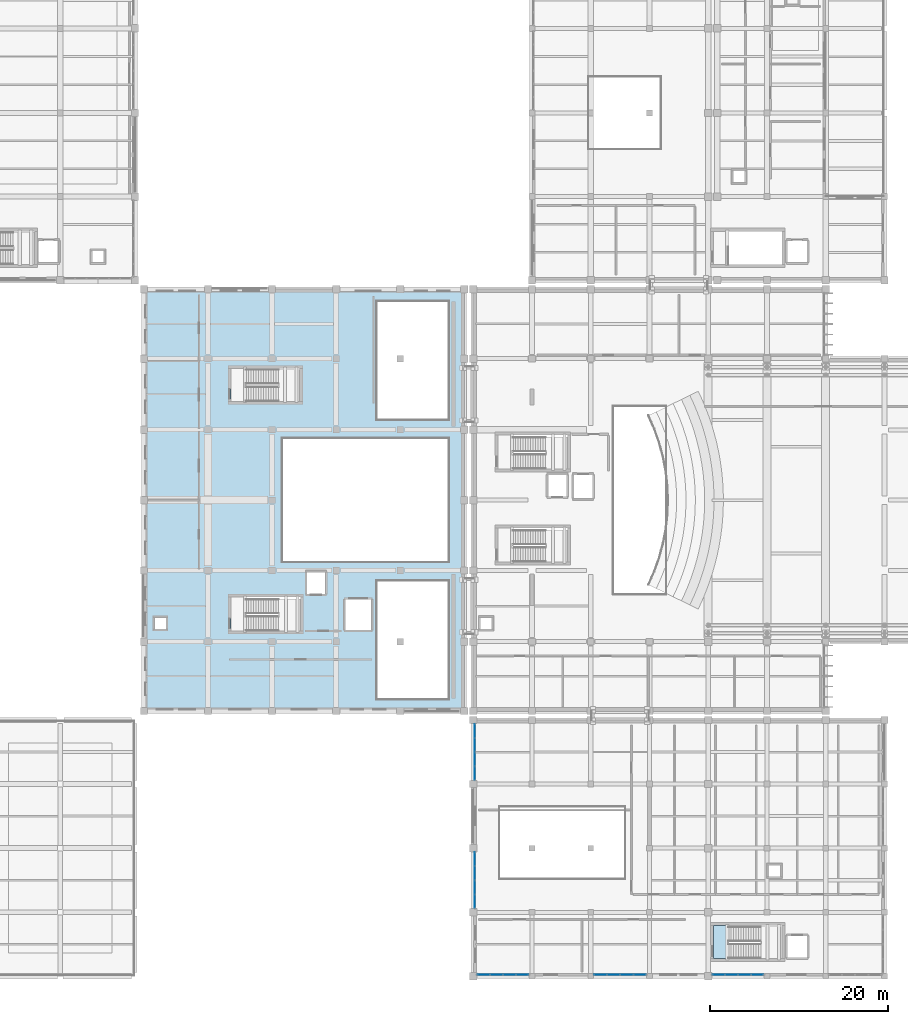
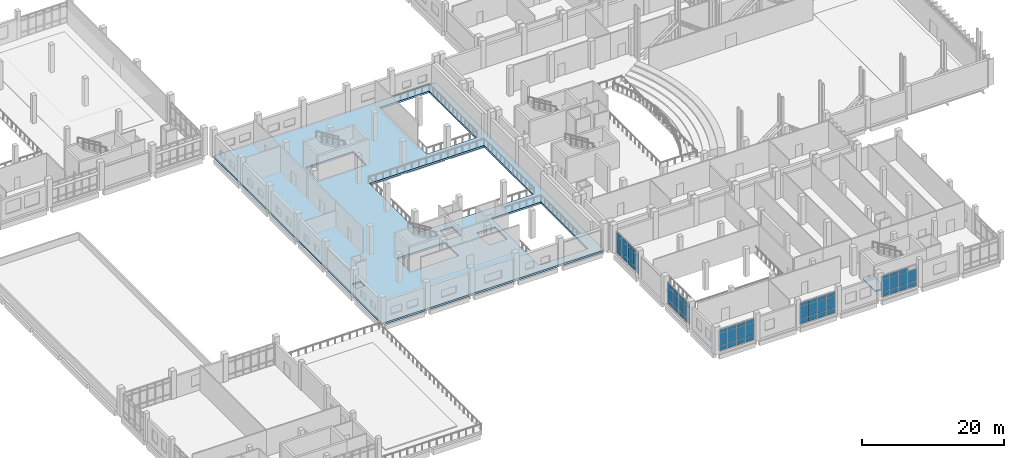
# One storey, part 38 of 73: 59 plates, 2 slabs, 7 elements without a shape of their own.
"""IFC4 building model written with IfcOpenShell, lengths in metres."""

from ifc_helpers import new_model, si_unit, direction, frame, origin, origin_2d, place, context, subcontext, project, spatial, polyline, rectangle, outline, extrude, material, layer, layer_set, type_object, element, aggregate, save


model = new_model("IFC4")

# Units and contexts
model_context = context("Model", 3, precision=1e-05, world=origin(), true_north=direction((0.0, 1.0)))
body_context = subcontext(model_context, "Body", "Model", "MODEL_VIEW")
ifc_project = project(units=[si_unit("LENGTHUNIT", "METRE"), si_unit("AREAUNIT", "SQUARE_METRE"), si_unit("VOLUMEUNIT", "CUBIC_METRE"), si_unit("PLANEANGLEUNIT", "RADIAN"), si_unit("MASSUNIT", "GRAM", prefix="KILO")], contexts=[model_context])

# Site, building, storey
site_placement = place(None, origin())
site = spatial("IfcSite", under=ifc_project, at=site_placement, CompositionType="ELEMENT")
building_placement = place(site_placement, origin())
building = spatial("IfcBuilding", under=site, at=building_placement, Name="Kelarvand Opera House", CompositionType="ELEMENT")
storey_placement = place(building_placement, frame((0.0, 0.0, 10.199951171875)))
storey = spatial("IfcBuildingStorey", under=building, at=storey_placement, Name="L02", CompositionType="ELEMENT", Elevation=10.199951171875)

# Slabs
ifc_material_1 = material(Name="Concrete C35/45", Category="concrete")
ifc_layer_1 = layer(ifc_material_1, 0.219970703125, Name="Concrete C35/45", Category="concrete")
ifc_layer_set_1 = layer_set([ifc_layer_1], Name="Concrete C35/45")
slab_type_1 = type_object("IfcSlabType", Name="Core Stair Entry Landing Slab 220", PredefinedType="LANDING", material=ifc_layer_set_1)
slab_1_placement = place(storey_placement, frame((0.0, 0.0, -0.219970703125)))
element("IfcSlab", 1, at=slab_1_placement, inside=storey, type_object=slab_type_1, Name="C8 Stair Entry Landing L02", PredefinedType="LANDING", context=body_context, shape_type="SweptSolid", body=[
    extrude(outline(polyline([(116.0, 11.0), (117.719970703125, 11.0), (117.719970703125, 14.699951171875), (116.0, 14.699951171875), (116.0, 11.0)])), origin(), (0.0, 0.0, 1.0), 0.219970703125),
])
ifc_material_2 = material(Name="Concrete C40/50", Category="concrete")
ifc_layer_2 = layer(ifc_material_2, 0.320068359375, Name="Concrete C40/50", Category="concrete")
ifc_layer_set_2 = layer_set([ifc_layer_2], Name="Concrete C40/50")
slab_type_2 = type_object("IfcSlabType", Name="Long-Span Hall Floor Slab 320", PredefinedType="FLOOR", material=ifc_layer_set_2)
slab_2_placement = place(storey_placement, frame((0.0, 0.0, -0.320068359375)))
element("IfcSlab", 2, at=slab_2_placement, inside=storey, type_object=slab_type_2, Name="V2 L02 Structural Slab 13", PredefinedType="FLOOR", context=body_context, shape_type="SweptSolid", body=[
    extrude(outline(polyline([(88.0, 38.800048828125), (88.0, 86.199951171875), (52.0, 86.199951171875), (52.0, 38.800048828125), (88.0, 38.800048828125)]), holes=[polyline([(86.199951171875, 53.39990234375), (86.199951171875, 40.199951171875), (78.199951171875, 40.199951171875), (78.199951171875, 53.39990234375), (86.199951171875, 53.39990234375)]), polyline([(54.5, 49.300048828125), (54.5, 48.0), (53.199951171875, 48.0), (53.199951171875, 49.300048828125), (54.5, 49.300048828125)]), polyline([(77.550048828125, 51.35009765625), (77.550048828125, 47.89990234375), (74.60009765625, 47.89990234375), (74.60009765625, 51.35009765625), (77.550048828125, 51.35009765625)]), polyline([(69.60009765625, 51.60009765625), (69.60009765625, 47.800048828125), (61.800048828125, 47.800048828125), (61.800048828125, 51.60009765625), (69.60009765625, 51.60009765625)]), polyline([(72.39990234375, 54.39990234375), (72.39990234375, 51.949951171875), (70.300048828125, 51.949951171875), (70.300048828125, 54.39990234375), (72.39990234375, 54.39990234375)]), polyline([(86.199951171875, 69.39990234375), (86.199951171875, 55.60009765625), (67.60009765625, 55.60009765625), (67.60009765625, 69.39990234375), (86.199951171875, 69.39990234375)]), polyline([(69.5, 77.300048828125), (69.5, 73.60009765625), (61.800048828125, 73.60009765625), (61.800048828125, 77.300048828125), (69.5, 77.300048828125)]), polyline([(86.199951171875, 84.800048828125), (86.199951171875, 71.60009765625), (78.199951171875, 71.60009765625), (78.199951171875, 84.800048828125), (86.199951171875, 84.800048828125)])]), origin(), (0.0, 0.0, 1.0), 0.320068359375),
])

# Curtain wall, plates
ifc_material_3 = material(Name="Thermally broken aluminium and low-E glazing", Category="aluminium")
ifc_layer_3 = layer(ifc_material_3, 0.179931640625, Name="Thermally broken aluminium and low-E glazing", Category="aluminium")
ifc_layer_set_3 = layer_set([ifc_layer_3], Name="Thermally broken aluminium and low-E glazing")
curtain_wall_type_1 = type_object("IfcCurtainWallType", Name="Unitised Low-E Curtain Wall 3176x3730 Mod 1350 CWF-10", PredefinedType="USERDEFINED", material=ifc_layer_set_3)
curtain_wall_1_placement = place(storey_placement, origin())
curtain_wall_1 = element("IfcCurtainWall", 3, at=curtain_wall_1_placement, inside=storey, type_object=curtain_wall_type_1, Name="V6 L02 Curtain Wall CWF-10 (221)", ObjectType="UNITISED CURTAIN WALL", PredefinedType="USERDEFINED")
ifc_material_4 = material(Name="Low-E laminated double glazing", Category="glass")
ifc_layer_4 = layer(ifc_material_4, 0.031982421875, Name="Low-E laminated double glazing", Category="glass")
ifc_layer_set_4 = layer_set([ifc_layer_4], Name="Low-E laminated double glazing")
plate_type = type_object("IfcPlateType", Name="Low-E Argon Double Glazed Curtain Panel 32mm", PredefinedType="CURTAIN_PANEL", material=ifc_layer_set_4)
plate_1_placement = place(storey_placement, frame((89.179931640625, 17.43017578125, 0.06494140625), z_axis=(0.0, 0.0, 1.0), x_axis=(0.0, 1.0, 0.0)))
plate_1 = element("IfcPlate", 4, at=plate_1_placement, type_object=plate_type, Name="CWF-10 panel 1.1", PredefinedType="CURTAIN_PANEL", context=body_context, shape_type="SweptSolid", body=[
    extrude(rectangle(XDim=1.490478515625, YDim=0.031982421875, at=origin_2d()), origin(), (0.0, 0.0, 1.0), 0.802490234375),
])
plate_2_placement = place(storey_placement, frame((89.179931640625, 17.43017578125, 0.9326171875), z_axis=(0.0, 0.0, 1.0), x_axis=(0.0, 1.0, 0.0)))
plate_2 = element("IfcPlate", 5, at=plate_2_placement, type_object=plate_type, Name="CWF-10 panel 1.2", PredefinedType="CURTAIN_PANEL", context=body_context, shape_type="SweptSolid", body=[
    extrude(rectangle(XDim=1.490478515625, YDim=0.031982421875, at=origin_2d()), origin(), (0.0, 0.0, 1.0), 2.0849609375),
])
plate_3_placement = place(storey_placement, frame((89.179931640625, 17.43017578125, 3.08251953125), z_axis=(0.0, 0.0, 1.0), x_axis=(0.0, 1.0, 0.0)))
plate_3 = element("IfcPlate", 6, at=plate_3_placement, type_object=plate_type, Name="CWF-10 panel 1.3", PredefinedType="CURTAIN_PANEL", context=body_context, shape_type="SweptSolid", body=[
    extrude(rectangle(XDim=1.490478515625, YDim=0.031982421875, at=origin_2d()), origin(), (0.0, 0.0, 1.0), 0.6025390625),
])
plate_4_placement = place(storey_placement, frame((89.179931640625, 18.98583984375, 0.06494140625), z_axis=(0.0, 0.0, 1.0), x_axis=(0.0, 1.0, 0.0)))
plate_4 = element("IfcPlate", 7, at=plate_4_placement, type_object=plate_type, Name="CWF-10 panel 2.1", PredefinedType="CURTAIN_PANEL", context=body_context, shape_type="SweptSolid", body=[
    extrude(rectangle(XDim=1.490478515625, YDim=0.031982421875, at=origin_2d()), origin(), (0.0, 0.0, 1.0), 0.802490234375),
])
plate_5_placement = place(storey_placement, frame((89.179931640625, 18.98583984375, 0.9326171875), z_axis=(0.0, 0.0, 1.0), x_axis=(0.0, 1.0, 0.0)))
plate_5 = element("IfcPlate", 8, at=plate_5_placement, type_object=plate_type, Name="CWF-10 panel 2.2", PredefinedType="CURTAIN_PANEL", context=body_context, shape_type="SweptSolid", body=[
    extrude(rectangle(XDim=1.490478515625, YDim=0.031982421875, at=origin_2d()), origin(), (0.0, 0.0, 1.0), 2.0849609375),
])
plate_6_placement = place(storey_placement, frame((89.179931640625, 18.98583984375, 3.08251953125), z_axis=(0.0, 0.0, 1.0), x_axis=(0.0, 1.0, 0.0)))
plate_6 = element("IfcPlate", 9, at=plate_6_placement, type_object=plate_type, Name="CWF-10 panel 2.3", PredefinedType="CURTAIN_PANEL", context=body_context, shape_type="SweptSolid", body=[
    extrude(rectangle(XDim=1.490478515625, YDim=0.031982421875, at=origin_2d()), origin(), (0.0, 0.0, 1.0), 0.6025390625),
])
aggregate(curtain_wall_1, [plate_1, plate_2, plate_3, plate_4, plate_5, plate_6])

curtain_wall_2_placement = place(storey_placement, origin())
curtain_wall_2 = element("IfcCurtainWall", 10, at=curtain_wall_2_placement, inside=storey, type_object=curtain_wall_type_1, Name="V6 L02 Curtain Wall CWF-10 (222)", ObjectType="UNITISED CURTAIN WALL", PredefinedType="USERDEFINED")
plate_7_placement = place(storey_placement, frame((89.179931640625, 20.611328125, 0.06494140625), z_axis=(0.0, 0.0, 1.0), x_axis=(0.0, 1.0, 0.0)))
plate_7 = element("IfcPlate", 11, at=plate_7_placement, type_object=plate_type, Name="CWF-10 panel 1.1", PredefinedType="CURTAIN_PANEL", context=body_context, shape_type="SweptSolid", body=[
    extrude(rectangle(XDim=1.492431640625, YDim=0.031982421875, at=origin_2d()), origin(), (0.0, 0.0, 1.0), 0.802490234375),
])
plate_8_placement = place(storey_placement, frame((89.179931640625, 20.611328125, 0.9326171875), z_axis=(0.0, 0.0, 1.0), x_axis=(0.0, 1.0, 0.0)))
plate_8 = element("IfcPlate", 12, at=plate_8_placement, type_object=plate_type, Name="CWF-10 panel 1.2", PredefinedType="CURTAIN_PANEL", context=body_context, shape_type="SweptSolid", body=[
    extrude(rectangle(XDim=1.492431640625, YDim=0.031982421875, at=origin_2d()), origin(), (0.0, 0.0, 1.0), 2.0849609375),
])
plate_9_placement = place(storey_placement, frame((89.179931640625, 20.611328125, 3.08251953125), z_axis=(0.0, 0.0, 1.0), x_axis=(0.0, 1.0, 0.0)))
plate_9 = element("IfcPlate", 13, at=plate_9_placement, type_object=plate_type, Name="CWF-10 panel 1.3", PredefinedType="CURTAIN_PANEL", context=body_context, shape_type="SweptSolid", body=[
    extrude(rectangle(XDim=1.492431640625, YDim=0.031982421875, at=origin_2d()), origin(), (0.0, 0.0, 1.0), 0.6025390625),
])
plate_10_placement = place(storey_placement, frame((89.179931640625, 22.168701171875, 0.06494140625), z_axis=(0.0, 0.0, 1.0), x_axis=(0.0, 1.0, 0.0)))
plate_10 = element("IfcPlate", 14, at=plate_10_placement, type_object=plate_type, Name="CWF-10 panel 2.1", PredefinedType="CURTAIN_PANEL", context=body_context, shape_type="SweptSolid", body=[
    extrude(rectangle(XDim=1.492431640625, YDim=0.031982421875, at=origin_2d()), origin(), (0.0, 0.0, 1.0), 0.802490234375),
])
plate_11_placement = place(storey_placement, frame((89.179931640625, 22.168701171875, 0.9326171875), z_axis=(0.0, 0.0, 1.0), x_axis=(0.0, 1.0, 0.0)))
plate_11 = element("IfcPlate", 15, at=plate_11_placement, type_object=plate_type, Name="CWF-10 panel 2.2", PredefinedType="CURTAIN_PANEL", context=body_context, shape_type="SweptSolid", body=[
    extrude(rectangle(XDim=1.492431640625, YDim=0.031982421875, at=origin_2d()), origin(), (0.0, 0.0, 1.0), 2.0849609375),
])
plate_12_placement = place(storey_placement, frame((89.179931640625, 22.168701171875, 3.08251953125), z_axis=(0.0, 0.0, 1.0), x_axis=(0.0, 1.0, 0.0)))
plate_12 = element("IfcPlate", 16, at=plate_12_placement, type_object=plate_type, Name="CWF-10 panel 2.3", PredefinedType="CURTAIN_PANEL", context=body_context, shape_type="SweptSolid", body=[
    extrude(rectangle(XDim=1.492431640625, YDim=0.031982421875, at=origin_2d()), origin(), (0.0, 0.0, 1.0), 0.6025390625),
])
aggregate(curtain_wall_2, [plate_7, plate_8, plate_9, plate_10, plate_11, plate_12])

curtain_wall_3_placement = place(storey_placement, origin())
curtain_wall_3 = element("IfcCurtainWall", 17, at=curtain_wall_3_placement, inside=storey, type_object=curtain_wall_type_1, Name="V6 L02 Curtain Wall CWF-10 (223)", ObjectType="UNITISED CURTAIN WALL", PredefinedType="USERDEFINED")
plate_13_placement = place(storey_placement, frame((89.179931640625, 31.830322265625, 0.06494140625), z_axis=(0.0, 0.0, 1.0), x_axis=(0.0, 1.0, 0.0)))
plate_13 = element("IfcPlate", 18, at=plate_13_placement, type_object=plate_type, Name="CWF-10 panel 1.1", PredefinedType="CURTAIN_PANEL", context=body_context, shape_type="SweptSolid", body=[
    extrude(rectangle(XDim=1.490478515625, YDim=0.031982421875, at=origin_2d()), origin(), (0.0, 0.0, 1.0), 0.802490234375),
])
plate_14_placement = place(storey_placement, frame((89.179931640625, 31.830322265625, 0.9326171875), z_axis=(0.0, 0.0, 1.0), x_axis=(0.0, 1.0, 0.0)))
plate_14 = element("IfcPlate", 19, at=plate_14_placement, type_object=plate_type, Name="CWF-10 panel 1.2", PredefinedType="CURTAIN_PANEL", context=body_context, shape_type="SweptSolid", body=[
    extrude(rectangle(XDim=1.490478515625, YDim=0.031982421875, at=origin_2d()), origin(), (0.0, 0.0, 1.0), 2.0849609375),
])
plate_15_placement = place(storey_placement, frame((89.179931640625, 31.830322265625, 3.08251953125), z_axis=(0.0, 0.0, 1.0), x_axis=(0.0, 1.0, 0.0)))
plate_15 = element("IfcPlate", 20, at=plate_15_placement, type_object=plate_type, Name="CWF-10 panel 1.3", PredefinedType="CURTAIN_PANEL", context=body_context, shape_type="SweptSolid", body=[
    extrude(rectangle(XDim=1.490478515625, YDim=0.031982421875, at=origin_2d()), origin(), (0.0, 0.0, 1.0), 0.6025390625),
])
plate_16_placement = place(storey_placement, frame((89.179931640625, 33.3857421875, 0.06494140625), z_axis=(0.0, 0.0, 1.0), x_axis=(0.0, 1.0, 0.0)))
plate_16 = element("IfcPlate", 21, at=plate_16_placement, type_object=plate_type, Name="CWF-10 panel 2.1", PredefinedType="CURTAIN_PANEL", context=body_context, shape_type="SweptSolid", body=[
    extrude(rectangle(XDim=1.490478515625, YDim=0.031982421875, at=origin_2d()), origin(), (0.0, 0.0, 1.0), 0.802490234375),
])
plate_17_placement = place(storey_placement, frame((89.179931640625, 33.3857421875, 0.9326171875), z_axis=(0.0, 0.0, 1.0), x_axis=(0.0, 1.0, 0.0)))
plate_17 = element("IfcPlate", 22, at=plate_17_placement, type_object=plate_type, Name="CWF-10 panel 2.2", PredefinedType="CURTAIN_PANEL", context=body_context, shape_type="SweptSolid", body=[
    extrude(rectangle(XDim=1.490478515625, YDim=0.031982421875, at=origin_2d()), origin(), (0.0, 0.0, 1.0), 2.0849609375),
])
plate_18_placement = place(storey_placement, frame((89.179931640625, 33.3857421875, 3.08251953125), z_axis=(0.0, 0.0, 1.0), x_axis=(0.0, 1.0, 0.0)))
plate_18 = element("IfcPlate", 23, at=plate_18_placement, type_object=plate_type, Name="CWF-10 panel 2.3", PredefinedType="CURTAIN_PANEL", context=body_context, shape_type="SweptSolid", body=[
    extrude(rectangle(XDim=1.490478515625, YDim=0.031982421875, at=origin_2d()), origin(), (0.0, 0.0, 1.0), 0.6025390625),
])
aggregate(curtain_wall_3, [plate_13, plate_14, plate_15, plate_16, plate_17, plate_18])

curtain_wall_4_placement = place(storey_placement, origin())
curtain_wall_4 = element("IfcCurtainWall", 24, at=curtain_wall_4_placement, inside=storey, type_object=curtain_wall_type_1, Name="V6 L02 Curtain Wall CWF-10 (224)", ObjectType="UNITISED CURTAIN WALL", PredefinedType="USERDEFINED")
plate_19_placement = place(storey_placement, frame((89.179931640625, 35.01123046875, 0.06494140625), z_axis=(0.0, 0.0, 1.0), x_axis=(0.0, 1.0, 0.0)))
plate_19 = element("IfcPlate", 25, at=plate_19_placement, type_object=plate_type, Name="CWF-10 panel 1.1", PredefinedType="CURTAIN_PANEL", context=body_context, shape_type="SweptSolid", body=[
    extrude(rectangle(XDim=1.492431640625, YDim=0.031982421875, at=origin_2d()), origin(), (0.0, 0.0, 1.0), 0.802490234375),
])
plate_20_placement = place(storey_placement, frame((89.179931640625, 35.01123046875, 0.9326171875), z_axis=(0.0, 0.0, 1.0), x_axis=(0.0, 1.0, 0.0)))
plate_20 = element("IfcPlate", 26, at=plate_20_placement, type_object=plate_type, Name="CWF-10 panel 1.2", PredefinedType="CURTAIN_PANEL", context=body_context, shape_type="SweptSolid", body=[
    extrude(rectangle(XDim=1.492431640625, YDim=0.031982421875, at=origin_2d()), origin(), (0.0, 0.0, 1.0), 2.0849609375),
])
plate_21_placement = place(storey_placement, frame((89.179931640625, 35.01123046875, 3.08251953125), z_axis=(0.0, 0.0, 1.0), x_axis=(0.0, 1.0, 0.0)))
plate_21 = element("IfcPlate", 27, at=plate_21_placement, type_object=plate_type, Name="CWF-10 panel 1.3", PredefinedType="CURTAIN_PANEL", context=body_context, shape_type="SweptSolid", body=[
    extrude(rectangle(XDim=1.492431640625, YDim=0.031982421875, at=origin_2d()), origin(), (0.0, 0.0, 1.0), 0.6025390625),
])
plate_22_placement = place(storey_placement, frame((89.179931640625, 36.56884765625, 0.06494140625), z_axis=(0.0, 0.0, 1.0), x_axis=(0.0, 1.0, 0.0)))
plate_22 = element("IfcPlate", 28, at=plate_22_placement, type_object=plate_type, Name="CWF-10 panel 2.1", PredefinedType="CURTAIN_PANEL", context=body_context, shape_type="SweptSolid", body=[
    extrude(rectangle(XDim=1.492431640625, YDim=0.031982421875, at=origin_2d()), origin(), (0.0, 0.0, 1.0), 0.802490234375),
])
plate_23_placement = place(storey_placement, frame((89.179931640625, 36.56884765625, 0.9326171875), z_axis=(0.0, 0.0, 1.0), x_axis=(0.0, 1.0, 0.0)))
plate_23 = element("IfcPlate", 29, at=plate_23_placement, type_object=plate_type, Name="CWF-10 panel 2.2", PredefinedType="CURTAIN_PANEL", context=body_context, shape_type="SweptSolid", body=[
    extrude(rectangle(XDim=1.492431640625, YDim=0.031982421875, at=origin_2d()), origin(), (0.0, 0.0, 1.0), 2.0849609375),
])
plate_24_placement = place(storey_placement, frame((89.179931640625, 36.56884765625, 3.08251953125), z_axis=(0.0, 0.0, 1.0), x_axis=(0.0, 1.0, 0.0)))
plate_24 = element("IfcPlate", 30, at=plate_24_placement, type_object=plate_type, Name="CWF-10 panel 2.3", PredefinedType="CURTAIN_PANEL", context=body_context, shape_type="SweptSolid", body=[
    extrude(rectangle(XDim=1.492431640625, YDim=0.031982421875, at=origin_2d()), origin(), (0.0, 0.0, 1.0), 0.6025390625),
])
aggregate(curtain_wall_4, [plate_19, plate_20, plate_21, plate_22, plate_23, plate_24])

ifc_layer_5 = layer(ifc_material_3, 0.179931640625, Name="Thermally broken aluminium and low-E glazing", Category="aluminium")
ifc_layer_set_5 = layer_set([ifc_layer_5], Name="Thermally broken aluminium and low-E glazing")
curtain_wall_type_2 = type_object("IfcCurtainWallType", Name="Unitised Low-E Curtain Wall 5845x3750 Mod 1350 CWF-56", PredefinedType="USERDEFINED", material=ifc_layer_set_5)
curtain_wall_5_placement = place(storey_placement, origin())
curtain_wall_5 = element("IfcCurtainWall", 31, at=curtain_wall_5_placement, inside=storey, type_object=curtain_wall_type_2, Name="V6 L02 Curtain Wall CWF-56 (226)", ObjectType="UNITISED CURTAIN WALL", PredefinedType="USERDEFINED")
plate_25_placement = place(storey_placement, frame((120.918212890625, 9.179931640625, 0.06494140625), z_axis=(0.0, 0.0, 1.0), x_axis=(-1.0, 0.0, 0.0)))
plate_25 = element("IfcPlate", 32, at=plate_25_placement, type_object=plate_type, Name="CWF-56 panel 1.1", PredefinedType="CURTAIN_PANEL", context=body_context, shape_type="SweptSolid", body=[
    extrude(rectangle(XDim=1.36376953125, YDim=0.031982421875, at=origin_2d()), origin(), (0.0, 0.0, 1.0), 0.802490234375),
])
plate_26_placement = place(storey_placement, frame((120.918212890625, 9.179931640625, 0.9326171875), z_axis=(0.0, 0.0, 1.0), x_axis=(-1.0, 0.0, 0.0)))
plate_26 = element("IfcPlate", 33, at=plate_26_placement, type_object=plate_type, Name="CWF-56 panel 1.2", PredefinedType="CURTAIN_PANEL", context=body_context, shape_type="SweptSolid", body=[
    extrude(rectangle(XDim=1.36376953125, YDim=0.031982421875, at=origin_2d()), origin(), (0.0, 0.0, 1.0), 2.0849609375),
])
plate_27_placement = place(storey_placement, frame((119.47314453125, 9.179931640625, 0.06494140625), z_axis=(0.0, 0.0, 1.0), x_axis=(-1.0, 0.0, 0.0)))
plate_27 = element("IfcPlate", 34, at=plate_27_placement, type_object=plate_type, Name="CWF-56 panel 2.1", PredefinedType="CURTAIN_PANEL", context=body_context, shape_type="SweptSolid", body=[
    extrude(rectangle(XDim=1.396240234375, YDim=0.031982421875, at=origin_2d()), origin(), (0.0, 0.0, 1.0), 0.802490234375),
])
plate_28_placement = place(storey_placement, frame((119.47314453125, 9.179931640625, 0.9326171875), z_axis=(0.0, 0.0, 1.0), x_axis=(-1.0, 0.0, 0.0)))
plate_28 = element("IfcPlate", 35, at=plate_28_placement, type_object=plate_type, Name="CWF-56 panel 2.2", PredefinedType="CURTAIN_PANEL", context=body_context, shape_type="SweptSolid", body=[
    extrude(rectangle(XDim=1.396240234375, YDim=0.031982421875, at=origin_2d()), origin(), (0.0, 0.0, 1.0), 2.0849609375),
])
plate_29_placement = place(storey_placement, frame((119.47314453125, 9.179931640625, 3.08251953125), z_axis=(0.0, 0.0, 1.0), x_axis=(-1.0, 0.0, 0.0)))
plate_29 = element("IfcPlate", 36, at=plate_29_placement, type_object=plate_type, Name="CWF-56 panel 2.3", PredefinedType="CURTAIN_PANEL", context=body_context, shape_type="SweptSolid", body=[
    extrude(rectangle(XDim=1.396240234375, YDim=0.031982421875, at=origin_2d()), origin(), (0.0, 0.0, 1.0), 0.6025390625),
])
plate_30_placement = place(storey_placement, frame((118.011962890625, 9.179931640625, 0.06494140625), z_axis=(0.0, 0.0, 1.0), x_axis=(-1.0, 0.0, 0.0)))
plate_30 = element("IfcPlate", 37, at=plate_30_placement, type_object=plate_type, Name="CWF-56 panel 3.1", PredefinedType="CURTAIN_PANEL", context=body_context, shape_type="SweptSolid", body=[
    extrude(rectangle(XDim=1.396240234375, YDim=0.031982421875, at=origin_2d()), origin(), (0.0, 0.0, 1.0), 0.802490234375),
])
plate_31_placement = place(storey_placement, frame((118.011962890625, 9.179931640625, 0.9326171875), z_axis=(0.0, 0.0, 1.0), x_axis=(-1.0, 0.0, 0.0)))
plate_31 = element("IfcPlate", 38, at=plate_31_placement, type_object=plate_type, Name="CWF-56 panel 3.2", PredefinedType="CURTAIN_PANEL", context=body_context, shape_type="SweptSolid", body=[
    extrude(rectangle(XDim=1.396240234375, YDim=0.031982421875, at=origin_2d()), origin(), (0.0, 0.0, 1.0), 2.0849609375),
])
plate_32_placement = place(storey_placement, frame((118.011962890625, 9.179931640625, 3.08251953125), z_axis=(0.0, 0.0, 1.0), x_axis=(-1.0, 0.0, 0.0)))
plate_32 = element("IfcPlate", 39, at=plate_32_placement, type_object=plate_type, Name="CWF-56 panel 3.3", PredefinedType="CURTAIN_PANEL", context=body_context, shape_type="SweptSolid", body=[
    extrude(rectangle(XDim=1.396240234375, YDim=0.031982421875, at=origin_2d()), origin(), (0.0, 0.0, 1.0), 0.6025390625),
])
plate_33_placement = place(storey_placement, frame((116.56689453125, 9.179931640625, 0.06494140625), z_axis=(0.0, 0.0, 1.0), x_axis=(-1.0, 0.0, 0.0)))
plate_33 = element("IfcPlate", 40, at=plate_33_placement, type_object=plate_type, Name="CWF-56 panel 4.1", PredefinedType="CURTAIN_PANEL", context=body_context, shape_type="SweptSolid", body=[
    extrude(rectangle(XDim=1.36376953125, YDim=0.031982421875, at=origin_2d()), origin(), (0.0, 0.0, 1.0), 0.802490234375),
])
plate_34_placement = place(storey_placement, frame((116.56689453125, 9.179931640625, 0.9326171875), z_axis=(0.0, 0.0, 1.0), x_axis=(-1.0, 0.0, 0.0)))
plate_34 = element("IfcPlate", 41, at=plate_34_placement, type_object=plate_type, Name="CWF-56 panel 4.2", PredefinedType="CURTAIN_PANEL", context=body_context, shape_type="SweptSolid", body=[
    extrude(rectangle(XDim=1.36376953125, YDim=0.031982421875, at=origin_2d()), origin(), (0.0, 0.0, 1.0), 2.0849609375),
])
plate_35_placement = place(storey_placement, frame((116.56689453125, 9.179931640625, 3.08251953125), z_axis=(0.0, 0.0, 1.0), x_axis=(-1.0, 0.0, 0.0)))
plate_35 = element("IfcPlate", 42, at=plate_35_placement, type_object=plate_type, Name="CWF-56 panel 4.3", PredefinedType="CURTAIN_PANEL", context=body_context, shape_type="SweptSolid", body=[
    extrude(rectangle(XDim=1.36376953125, YDim=0.031982421875, at=origin_2d()), origin(), (0.0, 0.0, 1.0), 0.6025390625),
])
aggregate(curtain_wall_5, [plate_25, plate_26, plate_27, plate_28, plate_29, plate_30, plate_31, plate_32, plate_33, plate_34, plate_35])

ifc_layer_6 = layer(ifc_material_3, 0.179931640625, Name="Thermally broken aluminium and low-E glazing", Category="aluminium")
ifc_layer_set_6 = layer_set([ifc_layer_6], Name="Thermally broken aluminium and low-E glazing")
curtain_wall_type_3 = type_object("IfcCurtainWallType", Name="Unitised Low-E Curtain Wall 5930x3750 Mod 1350 CWF-55", PredefinedType="USERDEFINED", material=ifc_layer_set_6)
curtain_wall_6_placement = place(storey_placement, origin())
curtain_wall_6 = element("IfcCurtainWall", 43, at=curtain_wall_6_placement, inside=storey, type_object=curtain_wall_type_3, Name="V6 L02 Curtain Wall CWF-55 (227)", ObjectType="UNITISED CURTAIN WALL", PredefinedType="USERDEFINED")
plate_36_placement = place(storey_placement, frame((107.70751953125, 9.179931640625, 0.06494140625), z_axis=(0.0, 0.0, 1.0), x_axis=(-1.0, 0.0, 0.0)))
plate_36 = element("IfcPlate", 44, at=plate_36_placement, type_object=plate_type, Name="CWF-55 panel 1.1", PredefinedType="CURTAIN_PANEL", context=body_context, shape_type="SweptSolid", body=[
    extrude(rectangle(XDim=1.385009765625, YDim=0.031982421875, at=origin_2d()), origin(), (0.0, 0.0, 1.0), 0.802490234375),
])
plate_37_placement = place(storey_placement, frame((107.70751953125, 9.179931640625, 0.9326171875), z_axis=(0.0, 0.0, 1.0), x_axis=(-1.0, 0.0, 0.0)))
plate_37 = element("IfcPlate", 45, at=plate_37_placement, type_object=plate_type, Name="CWF-55 panel 1.2", PredefinedType="CURTAIN_PANEL", context=body_context, shape_type="SweptSolid", body=[
    extrude(rectangle(XDim=1.385009765625, YDim=0.031982421875, at=origin_2d()), origin(), (0.0, 0.0, 1.0), 2.0849609375),
])
plate_38_placement = place(storey_placement, frame((107.70751953125, 9.179931640625, 3.08251953125), z_axis=(0.0, 0.0, 1.0), x_axis=(-1.0, 0.0, 0.0)))
plate_38 = element("IfcPlate", 46, at=plate_38_placement, type_object=plate_type, Name="CWF-55 panel 1.3", PredefinedType="CURTAIN_PANEL", context=body_context, shape_type="SweptSolid", body=[
    extrude(rectangle(XDim=1.385009765625, YDim=0.031982421875, at=origin_2d()), origin(), (0.0, 0.0, 1.0), 0.6025390625),
])
plate_39_placement = place(storey_placement, frame((106.2412109375, 9.179931640625, 0.06494140625), z_axis=(0.0, 0.0, 1.0), x_axis=(-1.0, 0.0, 0.0)))
plate_39 = element("IfcPlate", 47, at=plate_39_placement, type_object=plate_type, Name="CWF-55 panel 2.1", PredefinedType="CURTAIN_PANEL", context=body_context, shape_type="SweptSolid", body=[
    extrude(rectangle(XDim=1.41748046875, YDim=0.031982421875, at=origin_2d()), origin(), (0.0, 0.0, 1.0), 0.802490234375),
])
plate_40_placement = place(storey_placement, frame((106.2412109375, 9.179931640625, 0.9326171875), z_axis=(0.0, 0.0, 1.0), x_axis=(-1.0, 0.0, 0.0)))
plate_40 = element("IfcPlate", 48, at=plate_40_placement, type_object=plate_type, Name="CWF-55 panel 2.2", PredefinedType="CURTAIN_PANEL", context=body_context, shape_type="SweptSolid", body=[
    extrude(rectangle(XDim=1.41748046875, YDim=0.031982421875, at=origin_2d()), origin(), (0.0, 0.0, 1.0), 2.0849609375),
])
plate_41_placement = place(storey_placement, frame((106.2412109375, 9.179931640625, 3.08251953125), z_axis=(0.0, 0.0, 1.0), x_axis=(-1.0, 0.0, 0.0)))
plate_41 = element("IfcPlate", 49, at=plate_41_placement, type_object=plate_type, Name="CWF-55 panel 2.3", PredefinedType="CURTAIN_PANEL", context=body_context, shape_type="SweptSolid", body=[
    extrude(rectangle(XDim=1.41748046875, YDim=0.031982421875, at=origin_2d()), origin(), (0.0, 0.0, 1.0), 0.6025390625),
])
plate_42_placement = place(storey_placement, frame((104.7587890625, 9.179931640625, 0.06494140625), z_axis=(0.0, 0.0, 1.0), x_axis=(-1.0, 0.0, 0.0)))
plate_42 = element("IfcPlate", 50, at=plate_42_placement, type_object=plate_type, Name="CWF-55 panel 3.1", PredefinedType="CURTAIN_PANEL", context=body_context, shape_type="SweptSolid", body=[
    extrude(rectangle(XDim=1.41748046875, YDim=0.031982421875, at=origin_2d()), origin(), (0.0, 0.0, 1.0), 0.802490234375),
])
plate_43_placement = place(storey_placement, frame((104.7587890625, 9.179931640625, 0.9326171875), z_axis=(0.0, 0.0, 1.0), x_axis=(-1.0, 0.0, 0.0)))
plate_43 = element("IfcPlate", 51, at=plate_43_placement, type_object=plate_type, Name="CWF-55 panel 3.2", PredefinedType="CURTAIN_PANEL", context=body_context, shape_type="SweptSolid", body=[
    extrude(rectangle(XDim=1.41748046875, YDim=0.031982421875, at=origin_2d()), origin(), (0.0, 0.0, 1.0), 2.0849609375),
])
plate_44_placement = place(storey_placement, frame((104.7587890625, 9.179931640625, 3.08251953125), z_axis=(0.0, 0.0, 1.0), x_axis=(-1.0, 0.0, 0.0)))
plate_44 = element("IfcPlate", 52, at=plate_44_placement, type_object=plate_type, Name="CWF-55 panel 3.3", PredefinedType="CURTAIN_PANEL", context=body_context, shape_type="SweptSolid", body=[
    extrude(rectangle(XDim=1.41748046875, YDim=0.031982421875, at=origin_2d()), origin(), (0.0, 0.0, 1.0), 0.6025390625),
])
plate_45_placement = place(storey_placement, frame((103.29248046875, 9.179931640625, 0.06494140625), z_axis=(0.0, 0.0, 1.0), x_axis=(-1.0, 0.0, 0.0)))
plate_45 = element("IfcPlate", 53, at=plate_45_placement, type_object=plate_type, Name="CWF-55 panel 4.1", PredefinedType="CURTAIN_PANEL", context=body_context, shape_type="SweptSolid", body=[
    extrude(rectangle(XDim=1.385009765625, YDim=0.031982421875, at=origin_2d()), origin(), (0.0, 0.0, 1.0), 0.802490234375),
])
plate_46_placement = place(storey_placement, frame((103.29248046875, 9.179931640625, 0.9326171875), z_axis=(0.0, 0.0, 1.0), x_axis=(-1.0, 0.0, 0.0)))
plate_46 = element("IfcPlate", 54, at=plate_46_placement, type_object=plate_type, Name="CWF-55 panel 4.2", PredefinedType="CURTAIN_PANEL", context=body_context, shape_type="SweptSolid", body=[
    extrude(rectangle(XDim=1.385009765625, YDim=0.031982421875, at=origin_2d()), origin(), (0.0, 0.0, 1.0), 2.0849609375),
])
plate_47_placement = place(storey_placement, frame((103.29248046875, 9.179931640625, 3.08251953125), z_axis=(0.0, 0.0, 1.0), x_axis=(-1.0, 0.0, 0.0)))
plate_47 = element("IfcPlate", 55, at=plate_47_placement, type_object=plate_type, Name="CWF-55 panel 4.3", PredefinedType="CURTAIN_PANEL", context=body_context, shape_type="SweptSolid", body=[
    extrude(rectangle(XDim=1.385009765625, YDim=0.031982421875, at=origin_2d()), origin(), (0.0, 0.0, 1.0), 0.6025390625),
])
aggregate(curtain_wall_6, [plate_36, plate_37, plate_38, plate_39, plate_40, plate_41, plate_42, plate_43, plate_44, plate_45, plate_46, plate_47])

curtain_wall_7_placement = place(storey_placement, origin())
curtain_wall_7 = element("IfcCurtainWall", 56, at=curtain_wall_7_placement, inside=storey, type_object=curtain_wall_type_2, Name="V6 L02 Curtain Wall CWF-56 (228)", ObjectType="UNITISED CURTAIN WALL", PredefinedType="USERDEFINED")
plate_48_placement = place(storey_placement, frame((94.51806640625, 9.179931640625, 0.06494140625), z_axis=(0.0, 0.0, 1.0), x_axis=(-1.0, 0.0, 0.0)))
plate_48 = element("IfcPlate", 57, at=plate_48_placement, type_object=plate_type, Name="CWF-56 panel 1.1", PredefinedType="CURTAIN_PANEL", context=body_context, shape_type="SweptSolid", body=[
    extrude(rectangle(XDim=1.36376953125, YDim=0.031982421875, at=origin_2d()), origin(), (0.0, 0.0, 1.0), 0.802490234375),
])
plate_49_placement = place(storey_placement, frame((94.51806640625, 9.179931640625, 0.9326171875), z_axis=(0.0, 0.0, 1.0), x_axis=(-1.0, 0.0, 0.0)))
plate_49 = element("IfcPlate", 58, at=plate_49_placement, type_object=plate_type, Name="CWF-56 panel 1.2", PredefinedType="CURTAIN_PANEL", context=body_context, shape_type="SweptSolid", body=[
    extrude(rectangle(XDim=1.36376953125, YDim=0.031982421875, at=origin_2d()), origin(), (0.0, 0.0, 1.0), 2.0849609375),
])
plate_50_placement = place(storey_placement, frame((94.51806640625, 9.179931640625, 3.08251953125), z_axis=(0.0, 0.0, 1.0), x_axis=(-1.0, 0.0, 0.0)))
plate_50 = element("IfcPlate", 59, at=plate_50_placement, type_object=plate_type, Name="CWF-56 panel 1.3", PredefinedType="CURTAIN_PANEL", context=body_context, shape_type="SweptSolid", body=[
    extrude(rectangle(XDim=1.36376953125, YDim=0.031982421875, at=origin_2d()), origin(), (0.0, 0.0, 1.0), 0.6025390625),
])
plate_51_placement = place(storey_placement, frame((93.0732421875, 9.179931640625, 0.06494140625), z_axis=(0.0, 0.0, 1.0), x_axis=(-1.0, 0.0, 0.0)))
plate_51 = element("IfcPlate", 60, at=plate_51_placement, type_object=plate_type, Name="CWF-56 panel 2.1", PredefinedType="CURTAIN_PANEL", context=body_context, shape_type="SweptSolid", body=[
    extrude(rectangle(XDim=1.396240234375, YDim=0.031982421875, at=origin_2d()), origin(), (0.0, 0.0, 1.0), 0.802490234375),
])
plate_52_placement = place(storey_placement, frame((93.0732421875, 9.179931640625, 0.9326171875), z_axis=(0.0, 0.0, 1.0), x_axis=(-1.0, 0.0, 0.0)))
plate_52 = element("IfcPlate", 61, at=plate_52_placement, type_object=plate_type, Name="CWF-56 panel 2.2", PredefinedType="CURTAIN_PANEL", context=body_context, shape_type="SweptSolid", body=[
    extrude(rectangle(XDim=1.396240234375, YDim=0.031982421875, at=origin_2d()), origin(), (0.0, 0.0, 1.0), 2.0849609375),
])
plate_53_placement = place(storey_placement, frame((93.0732421875, 9.179931640625, 3.08251953125), z_axis=(0.0, 0.0, 1.0), x_axis=(-1.0, 0.0, 0.0)))
plate_53 = element("IfcPlate", 62, at=plate_53_placement, type_object=plate_type, Name="CWF-56 panel 2.3", PredefinedType="CURTAIN_PANEL", context=body_context, shape_type="SweptSolid", body=[
    extrude(rectangle(XDim=1.396240234375, YDim=0.031982421875, at=origin_2d()), origin(), (0.0, 0.0, 1.0), 0.6025390625),
])
plate_54_placement = place(storey_placement, frame((91.61181640625, 9.179931640625, 0.06494140625), z_axis=(0.0, 0.0, 1.0), x_axis=(-1.0, 0.0, 0.0)))
plate_54 = element("IfcPlate", 63, at=plate_54_placement, type_object=plate_type, Name="CWF-56 panel 3.1", PredefinedType="CURTAIN_PANEL", context=body_context, shape_type="SweptSolid", body=[
    extrude(rectangle(XDim=1.396240234375, YDim=0.031982421875, at=origin_2d()), origin(), (0.0, 0.0, 1.0), 0.802490234375),
])
plate_55_placement = place(storey_placement, frame((91.61181640625, 9.179931640625, 0.9326171875), z_axis=(0.0, 0.0, 1.0), x_axis=(-1.0, 0.0, 0.0)))
plate_55 = element("IfcPlate", 64, at=plate_55_placement, type_object=plate_type, Name="CWF-56 panel 3.2", PredefinedType="CURTAIN_PANEL", context=body_context, shape_type="SweptSolid", body=[
    extrude(rectangle(XDim=1.396240234375, YDim=0.031982421875, at=origin_2d()), origin(), (0.0, 0.0, 1.0), 2.0849609375),
])
plate_56_placement = place(storey_placement, frame((91.61181640625, 9.179931640625, 3.08251953125), z_axis=(0.0, 0.0, 1.0), x_axis=(-1.0, 0.0, 0.0)))
plate_56 = element("IfcPlate", 65, at=plate_56_placement, type_object=plate_type, Name="CWF-56 panel 3.3", PredefinedType="CURTAIN_PANEL", context=body_context, shape_type="SweptSolid", body=[
    extrude(rectangle(XDim=1.396240234375, YDim=0.031982421875, at=origin_2d()), origin(), (0.0, 0.0, 1.0), 0.6025390625),
])
plate_57_placement = place(storey_placement, frame((90.1669921875, 9.179931640625, 0.06494140625), z_axis=(0.0, 0.0, 1.0), x_axis=(-1.0, 0.0, 0.0)))
plate_57 = element("IfcPlate", 66, at=plate_57_placement, type_object=plate_type, Name="CWF-56 panel 4.1", PredefinedType="CURTAIN_PANEL", context=body_context, shape_type="SweptSolid", body=[
    extrude(rectangle(XDim=1.36376953125, YDim=0.031982421875, at=origin_2d()), origin(), (0.0, 0.0, 1.0), 0.802490234375),
])
plate_58_placement = place(storey_placement, frame((90.1669921875, 9.179931640625, 0.9326171875), z_axis=(0.0, 0.0, 1.0), x_axis=(-1.0, 0.0, 0.0)))
plate_58 = element("IfcPlate", 67, at=plate_58_placement, type_object=plate_type, Name="CWF-56 panel 4.2", PredefinedType="CURTAIN_PANEL", context=body_context, shape_type="SweptSolid", body=[
    extrude(rectangle(XDim=1.36376953125, YDim=0.031982421875, at=origin_2d()), origin(), (0.0, 0.0, 1.0), 2.0849609375),
])
plate_59_placement = place(storey_placement, frame((90.1669921875, 9.179931640625, 3.08251953125), z_axis=(0.0, 0.0, 1.0), x_axis=(-1.0, 0.0, 0.0)))
plate_59 = element("IfcPlate", 68, at=plate_59_placement, type_object=plate_type, Name="CWF-56 panel 4.3", PredefinedType="CURTAIN_PANEL", context=body_context, shape_type="SweptSolid", body=[
    extrude(rectangle(XDim=1.36376953125, YDim=0.031982421875, at=origin_2d()), origin(), (0.0, 0.0, 1.0), 0.6025390625),
])
aggregate(curtain_wall_7, [plate_48, plate_49, plate_50, plate_51, plate_52, plate_53, plate_54, plate_55, plate_56, plate_57, plate_58, plate_59])

save(model, "model.ifc")
